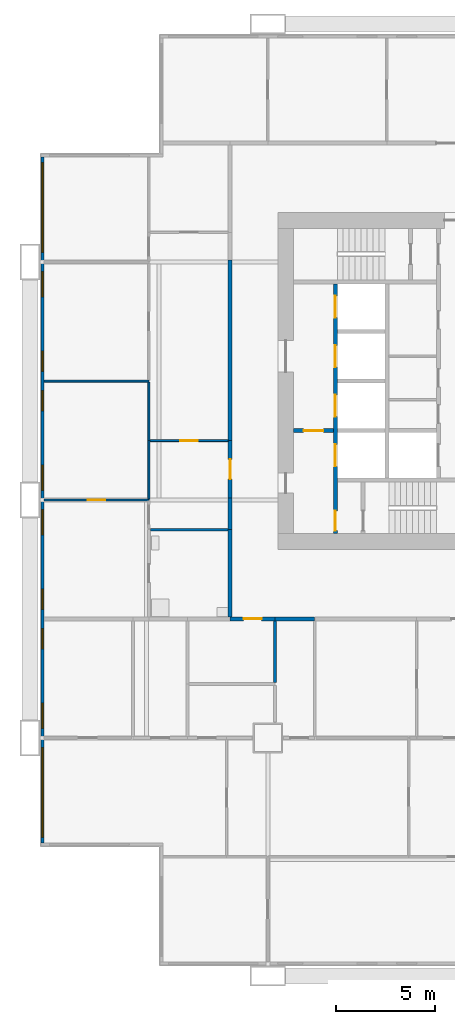
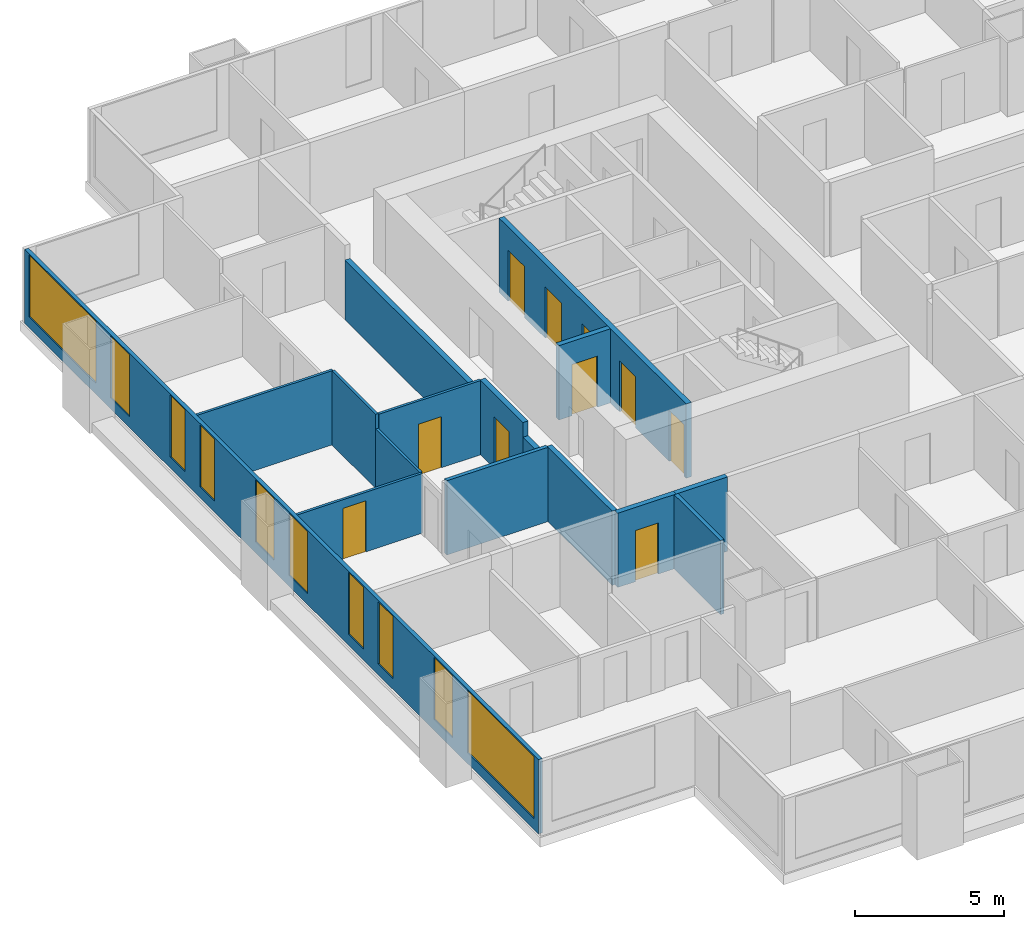
# One storey, part 3 of 14: 16 walls, 10 doors, 10 windows, 20 openings.
"""IFC4 building model written with IfcOpenShell, lengths in metres."""

from ifc_helpers import new_model, si_unit, direction, frame, frame_2d, origin, place, context, subcontext, project, spatial, rectangle, extrude, material, layer, layer_set, type_object, element, fill, save


model = new_model("IFC4")

# Units and contexts
model_context = context("Model", 3, precision=1e-05, world=origin(), true_north=direction((0.0, 1.0)))
body_context = subcontext(model_context, "Body", "Model", "MODEL_VIEW")
ifc_project = project(units=[si_unit("LENGTHUNIT", "METRE"), si_unit("AREAUNIT", "SQUARE_METRE"), si_unit("VOLUMEUNIT", "CUBIC_METRE"), si_unit("PLANEANGLEUNIT", "RADIAN"), si_unit("MASSUNIT", "GRAM", prefix="KILO")], contexts=[model_context])

# Site, building, storey
site_placement = place(None, origin())
site = spatial("IfcSite", under=ifc_project, at=site_placement, CompositionType="ELEMENT")
building_placement = place(site_placement, origin())
building = spatial("IfcBuilding", under=site, at=building_placement, Name="Kitamizu Gate Tower and Museum", CompositionType="ELEMENT")
storey_placement = place(building_placement, frame((0.0, 0.0, 54.14990234375)))
storey = spatial("IfcBuildingStorey", under=building, at=storey_placement, Name="L12", CompositionType="ELEMENT", Elevation=54.14990234375)

# Wall, opening, door
ifc_material_1 = material(Name="Gypsum board on galvanised stud")
ifc_layer_1 = layer(ifc_material_1, 0.10009765625)
ifc_layer_set_1 = layer_set([ifc_layer_1], Name="Gypsum board on galvanised stud")
wall_type_1 = type_object("IfcWallType", Name="Partition 100 NOT RATED", PredefinedType="PARTITIONING", material=ifc_layer_set_1)
wall_1_placement = place(storey_placement, frame((6.0, 24.0, 0.0), z_axis=(0.0, 0.0, 1.0), x_axis=(-1.0, 0.0, 0.0)))
wall_1 = element("IfcWall", 1, at=wall_1_placement, inside=storey, type_object=wall_type_1, Name="Partition L12-156", PredefinedType="PARTITIONING", context=body_context, shape_type="SweptSolid", body=[
    extrude(rectangle(XDim=5.280029296875, YDim=0.10009765625, at=frame_2d((2.64013671875, 0.0))), origin(), (0.0, 0.0, 1.0), 2.4501953125),
])
opening_1_placement = place(wall_1_placement, frame((2.18994140625, 0.0, 0.0)))
opening_1 = element("IfcOpeningElement", 2, at=opening_1_placement, cuts=wall_1, Name="Opening L12-061", PredefinedType="OPENING", context=body_context, shape_type="SweptSolid", body=[
    extrude(rectangle(XDim=0.89990234375, YDim=2.10009765625, at=frame_2d((0.449951171875, 1.050048828125))), frame((0.0, 0.06005859375, 0.0), z_axis=(0.0, -1.0, 0.0), x_axis=(1.0, 0.0, 0.0)), (0.0, 0.0, 1.0), 0.1201171875),
])
ifc_material_2 = material(Name="Timber door set", Category="wood")
door_type_1 = type_object("IfcDoorType", Name="Room door 900", OperationType="NOTDEFINED", PredefinedType="DOOR", material=ifc_material_2)
door_1_placement = place(opening_1_placement, origin())
door_1 = element("IfcDoor", 3, at=door_1_placement, inside=storey, type_object=door_type_1, Name="Door L12-061", OperationType="SINGLE_SWING_LEFT", OverallHeight=2.10009765625, OverallWidth=0.89990234375, PredefinedType="DOOR", context=body_context, shape_type="SweptSolid", body=[
    extrude(rectangle(XDim=0.89990234375, YDim=2.10009765625, at=frame_2d((0.449951171875, 1.050048828125))), frame((0.0, 0.02490234375, 0.0), z_axis=(0.0, -1.0, 0.0), x_axis=(1.0, 0.0, 0.0)), (0.0, 0.0, 1.0), 0.050048828125),
])
fill(opening_1, door_1)

# Walls
wall_2_placement = place(storey_placement, frame((6.0, 30.0, 0.0), z_axis=(0.0, 0.0, 1.0), x_axis=(-1.0, 0.0, 0.0)))
element("IfcWall", 4, at=wall_2_placement, inside=storey, type_object=wall_type_1, Name="Partition L12-159", PredefinedType="PARTITIONING", context=body_context, shape_type="SweptSolid", body=[
    extrude(rectangle(XDim=5.280029296875, YDim=0.10009765625, at=frame_2d((2.64013671875, 0.0))), origin(), (0.0, 0.0, 1.0), 3.050048828125),
])
wall_3_placement = place(storey_placement, frame((6.0, 24.050048828125, 0.0), z_axis=(0.0, 0.0, 1.0), x_axis=(0.0, 1.0, 0.0)))
element("IfcWall", 5, at=wall_3_placement, inside=storey, type_object=wall_type_1, Name="Partition L12-160", PredefinedType="PARTITIONING", context=body_context, shape_type="SweptSolid", body=[
    extrude(rectangle(XDim=2.949951171875, YDim=0.10009765625, at=frame_2d((1.47509765625, 0.0))), origin(), (0.0, 0.0, 1.0), 2.4501953125),
])
wall_4_placement = place(storey_placement, frame((6.0, 27.0, 0.0), z_axis=(0.0, 0.0, 1.0), x_axis=(0.0, 1.0, 0.0)))
element("IfcWall", 6, at=wall_4_placement, inside=storey, type_object=wall_type_1, Name="Partition L12-161", PredefinedType="PARTITIONING", context=body_context, shape_type="SweptSolid", body=[
    extrude(rectangle(XDim=2.949951171875, YDim=0.10009765625, at=frame_2d((1.47509765625, 0.0))), origin(), (0.0, 0.0, 1.0), 3.050048828125),
])

# Wall, opening, door
wall_5_placement = place(storey_placement, frame((10.0, 27.0, 0.0), z_axis=(0.0, 0.0, 1.0), x_axis=(-1.0, 0.0, 0.0)))
wall_5 = element("IfcWall", 7, at=wall_5_placement, inside=storey, type_object=wall_type_1, Name="Partition L12-168", PredefinedType="PARTITIONING", context=body_context, shape_type="SweptSolid", body=[
    extrude(rectangle(XDim=3.949951171875, YDim=0.10009765625, at=frame_2d((1.97509765625, 0.0))), origin(), (0.0, 0.0, 1.0), 3.050048828125),
])
opening_2_placement = place(wall_5_placement, frame((1.52490234375, 0.0, 0.0)))
opening_2 = element("IfcOpeningElement", 8, at=opening_2_placement, cuts=wall_5, Name="Opening L12-057", PredefinedType="OPENING", context=body_context, shape_type="SweptSolid", body=[
    extrude(rectangle(XDim=0.89990234375, YDim=2.10009765625, at=frame_2d((0.449951171875, 1.050048828125))), frame((0.0, 0.06005859375, 0.0), z_axis=(0.0, -1.0, 0.0), x_axis=(1.0, 0.0, 0.0)), (0.0, 0.0, 1.0), 0.1201171875),
])
door_2_placement = place(opening_2_placement, origin())
door_2 = element("IfcDoor", 9, at=door_2_placement, inside=storey, type_object=door_type_1, Name="Door L12-057", OperationType="SINGLE_SWING_RIGHT", OverallHeight=2.10009765625, OverallWidth=0.89990234375, PredefinedType="DOOR", context=body_context, shape_type="SweptSolid", body=[
    extrude(rectangle(XDim=0.89990234375, YDim=2.10009765625, at=frame_2d((0.449951171875, 1.050048828125))), frame((0.0, 0.02490234375, 0.0), z_axis=(0.0, -1.0, 0.0), x_axis=(1.0, 0.0, 0.0)), (0.0, 0.0, 1.0), 0.050048828125),
])
fill(opening_2, door_2)

# Walls
ifc_material_3 = material(Name="Gypsum board on galvanised stud")
ifc_layer_2 = layer(ifc_material_3, 0.14990234375)
ifc_layer_set_2 = layer_set([ifc_layer_2], Name="Gypsum board on galvanised stud")
wall_type_2 = type_object("IfcWallType", Name="Partition 150", PredefinedType="PARTITIONING", material=ifc_layer_set_2)
wall_6_placement = place(storey_placement, frame((12.364013671875, 14.787109375, 0.0), z_axis=(0.0, 0.0, 1.0), x_axis=(0.0, 1.0, 0.0)))
element("IfcWall", 10, at=wall_6_placement, inside=storey, type_object=wall_type_2, Name="Partition L12-044", PredefinedType="PARTITIONING", context=body_context, shape_type="SweptSolid", body=[
    extrude(rectangle(XDim=3.11279296875, YDim=0.14990234375, at=frame_2d((1.556396484375, 0.0))), origin(), (0.0, 0.0, 1.0), 3.050048828125),
])
wall_7_placement = place(storey_placement, frame((10.0, 22.5, 0.0), z_axis=(0.0, 0.0, 1.0), x_axis=(-1.0, 0.0, 0.0)))
element("IfcWall", 11, at=wall_7_placement, inside=storey, type_object=wall_type_2, Name="Partition L12-166", PredefinedType="PARTITIONING", context=body_context, shape_type="SweptSolid", body=[
    extrude(rectangle(XDim=3.925048828125, YDim=0.14990234375, at=frame_2d((1.96240234375, 0.0))), origin(), (0.0, 0.0, 1.0), 3.050048828125),
])

# Wall, opening, door
ifc_material_4 = material(Name="Gypsum board on galvanised stud")
ifc_layer_3 = layer(ifc_material_4, 0.199951171875)
ifc_layer_set_3 = layer_set([ifc_layer_3], Name="Gypsum board on galvanised stud")
wall_type_3 = type_object("IfcWallType", Name="Partition 200", PredefinedType="PARTITIONING", material=ifc_layer_set_3)
wall_8_placement = place(storey_placement, frame((12.364013671875, 18.0, 0.0), z_axis=(0.0, 0.0, 1.0), x_axis=(-1.0, 0.0, 0.0)))
wall_8 = element("IfcWall", 12, at=wall_8_placement, inside=storey, type_object=wall_type_3, Name="Partition L12-046", PredefinedType="PARTITIONING", context=body_context, shape_type="SweptSolid", body=[
    extrude(rectangle(XDim=2.263916015625, YDim=0.199951171875, at=frame_2d((1.1318359375, 0.0))), origin(), (0.0, 0.0, 1.0), 3.050048828125),
])
opening_3_placement = place(wall_8_placement, frame((0.681884765625, 0.0, 0.0)))
opening_3 = element("IfcOpeningElement", 13, at=opening_3_placement, cuts=wall_8, Name="Opening L12-020", PredefinedType="OPENING", context=body_context, shape_type="SweptSolid", body=[
    extrude(rectangle(XDim=0.89990234375, YDim=2.10009765625, at=frame_2d((0.449951171875, 1.050048828125))), frame((0.0, 0.10986328125, 0.0), z_axis=(0.0, -1.0, 0.0), x_axis=(1.0, 0.0, 0.0)), (0.0, 0.0, 1.0), 0.219970703125),
])
ifc_material_5 = material(Name="Timber door set", Category="wood")
door_type_2 = type_object("IfcDoorType", Name="Store door 900", OperationType="NOTDEFINED", PredefinedType="DOOR", material=ifc_material_5)
door_3_placement = place(opening_3_placement, origin())
door_3 = element("IfcDoor", 14, at=door_3_placement, inside=storey, type_object=door_type_2, Name="Service entrance door L12-020", OperationType="SINGLE_SWING_RIGHT", OverallHeight=2.10009765625, OverallWidth=0.89990234375, PredefinedType="DOOR", context=body_context, shape_type="SweptSolid", body=[
    extrude(rectangle(XDim=0.89990234375, YDim=2.10009765625, at=frame_2d((0.449951171875, 1.050048828125))), frame((0.0, 0.02490234375, 0.0), z_axis=(0.0, -1.0, 0.0), x_axis=(1.0, 0.0, 0.0)), (0.0, 0.0, 1.0), 0.050048828125),
])
fill(opening_3, door_3)

# Walls
wall_9_placement = place(storey_placement, frame((14.364013671875, 18.0, 0.0), z_axis=(0.0, 0.0, 1.0), x_axis=(-1.0, 0.0, 0.0)))
element("IfcWall", 15, at=wall_9_placement, inside=storey, type_object=wall_type_3, Name="Partition L12-048", PredefinedType="PARTITIONING", context=body_context, shape_type="SweptSolid", body=[
    extrude(rectangle(XDim=2.0, YDim=0.199951171875, at=frame_2d((1.0, 0.0))), origin(), (0.0, 0.0, 1.0), 3.050048828125),
])
wall_10_placement = place(storey_placement, frame((10.10009765625, 18.10009765625, 0.0), z_axis=(0.0, 0.0, 1.0), x_axis=(0.0, 1.0, 0.0)))
element("IfcWall", 16, at=wall_10_placement, inside=storey, type_object=wall_type_3, Name="Partition L12-167", PredefinedType="PARTITIONING", context=body_context, shape_type="SweptSolid", body=[
    extrude(rectangle(XDim=4.39990234375, YDim=0.199951171875, at=frame_2d((2.199951171875, 0.0))), origin(), (0.0, 0.0, 1.0), 3.050048828125),
])
wall_11_placement = place(storey_placement, frame((10.10009765625, 22.5, 0.0), z_axis=(0.0, 0.0, 1.0), x_axis=(0.0, 1.0, 0.0)))
element("IfcWall", 17, at=wall_11_placement, inside=storey, type_object=wall_type_3, Name="Partition L12-169", PredefinedType="PARTITIONING", context=body_context, shape_type="SweptSolid", body=[
    extrude(rectangle(XDim=1.60009765625, YDim=0.199951171875, at=frame_2d((0.800048828125, 0.0))), origin(), (0.0, 0.0, 1.0), 2.4501953125),
])

# Wall, opening, door
wall_12_placement = place(storey_placement, frame((10.10009765625, 24.10009765625, 0.0), z_axis=(0.0, 0.0, 1.0), x_axis=(0.0, 1.0, 0.0)))
wall_12 = element("IfcWall", 18, at=wall_12_placement, inside=storey, type_object=wall_type_3, Name="Partition L12-170", PredefinedType="PARTITIONING", context=body_context, shape_type="SweptSolid", body=[
    extrude(rectangle(XDim=2.89990234375, YDim=0.199951171875, at=frame_2d((1.449951171875, 0.0))), origin(), (0.0, 0.0, 1.0), 3.050048828125),
])
opening_4_placement = place(wall_12_placement, frame((0.949951171875, 0.0, 0.0)))
opening_4 = element("IfcOpeningElement", 19, at=opening_4_placement, cuts=wall_12, Name="Opening L12-055", PredefinedType="OPENING", context=body_context, shape_type="SweptSolid", body=[
    extrude(rectangle(XDim=1.0, YDim=2.10009765625, at=frame_2d((0.5, 1.050048828125))), frame((0.0, 0.10986328125, 0.0), z_axis=(0.0, -1.0, 0.0), x_axis=(1.0, 0.0, 0.0)), (0.0, 0.0, 1.0), 0.219970703125),
])
ifc_material_6 = material(Name="Timber door set", Category="wood")
door_type_3 = type_object("IfcDoorType", Name="Flat entrance door 1000", OperationType="NOTDEFINED", PredefinedType="DOOR", material=ifc_material_6)
door_4_placement = place(opening_4_placement, origin())
door_4 = element("IfcDoor", 20, at=door_4_placement, inside=storey, type_object=door_type_3, Name="Flat entrance door L12-055", OperationType="SINGLE_SWING_LEFT", OverallHeight=2.10009765625, OverallWidth=1.0, PredefinedType="DOOR", context=body_context, shape_type="SweptSolid", body=[
    extrude(rectangle(XDim=1.0, YDim=2.10009765625, at=frame_2d((0.5, 1.050048828125))), frame((0.0, 0.02490234375, 0.0), z_axis=(0.0, -1.0, 0.0), x_axis=(1.0, 0.0, 0.0)), (0.0, 0.0, 1.0), 0.050048828125),
])
fill(opening_4, door_4)

# Wall
wall_13_placement = place(storey_placement, frame((10.10009765625, 27.0, 0.0), z_axis=(0.0, 0.0, 1.0), x_axis=(0.0, 1.0, 0.0)))
element("IfcWall", 21, at=wall_13_placement, inside=storey, type_object=wall_type_3, Name="Partition L12-172", PredefinedType="PARTITIONING", context=body_context, shape_type="SweptSolid", body=[
    extrude(rectangle(XDim=9.10009765625, YDim=0.199951171875, at=frame_2d((4.550048828125, 0.0))), origin(), (0.0, 0.0, 1.0), 2.4501953125),
])

# Wall, openings, doors
ifc_material_7 = material(Name="Concrete Fc42", Category="concrete")
ifc_layer_4 = layer(ifc_material_7, 0.199951171875)
ifc_layer_set_4 = layer_set([ifc_layer_4], Name="Concrete Fc42")
wall_type_4 = type_object("IfcWallType", Name="Shaft wall 200", PredefinedType="SOLIDWALL", material=ifc_layer_set_4)
wall_14_placement = place(storey_placement, frame((15.39990234375, 22.300048828125, 0.0), z_axis=(0.0, 0.0, 1.0), x_axis=(0.0, 1.0, 0.0)))
wall_14 = element("IfcWall", 22, at=wall_14_placement, inside=storey, type_object=wall_type_4, Name="Shaft wall WWEST", PredefinedType="SOLIDWALL", context=body_context, shape_type="SweptSolid", body=[
    extrude(rectangle(XDim=12.599853515625, YDim=0.199951171875, at=frame_2d((6.2998046875, 0.0))), origin(), (0.0, 0.0, 1.0), 3.050048828125),
])
opening_5_placement = place(wall_14_placement, frame((3.39990234375, 0.0, 0.0)))
opening_5 = element("IfcOpeningElement", 23, at=opening_5_placement, cuts=wall_14, Name="Opening LD", PredefinedType="OPENING", context=body_context, shape_type="SweptSolid", body=[
    extrude(rectangle(XDim=1.10009765625, YDim=2.10009765625, at=frame_2d((0.550048828125, 1.050048828125))), frame((0.0, 0.10986328125, 0.0), z_axis=(0.0, -1.0, 0.0), x_axis=(1.0, 0.0, 0.0)), (0.0, 0.0, 1.0), 0.219970703125),
])
opening_6_placement = place(wall_14_placement, frame((5.89990234375, 0.0, 0.0)))
opening_6 = element("IfcOpeningElement", 24, at=opening_6_placement, cuts=wall_14, Name="Opening LD", PredefinedType="OPENING", context=body_context, shape_type="SweptSolid", body=[
    extrude(rectangle(XDim=1.10009765625, YDim=2.10009765625, at=frame_2d((0.550048828125, 1.050048828125))), frame((0.0, 0.10986328125, 0.0), z_axis=(0.0, -1.0, 0.0), x_axis=(1.0, 0.0, 0.0)), (0.0, 0.0, 1.0), 0.219970703125),
])
opening_7_placement = place(wall_14_placement, frame((8.39990234375, 0.0, 0.0)))
opening_7 = element("IfcOpeningElement", 25, at=opening_7_placement, cuts=wall_14, Name="Opening LD", PredefinedType="OPENING", context=body_context, shape_type="SweptSolid", body=[
    extrude(rectangle(XDim=1.10009765625, YDim=2.10009765625, at=frame_2d((0.550048828125, 1.050048828125))), frame((0.0, 0.10986328125, 0.0), z_axis=(0.0, -1.0, 0.0), x_axis=(1.0, 0.0, 0.0)), (0.0, 0.0, 1.0), 0.219970703125),
])
opening_8_placement = place(wall_14_placement, frame((10.89990234375, 0.0, 0.0)))
opening_8 = element("IfcOpeningElement", 26, at=opening_8_placement, cuts=wall_14, Name="Opening LD", PredefinedType="OPENING", context=body_context, shape_type="SweptSolid", body=[
    extrude(rectangle(XDim=1.10009765625, YDim=2.10009765625, at=frame_2d((0.550048828125, 1.050048828125))), frame((0.0, 0.10986328125, 0.0), z_axis=(0.0, -1.0, 0.0), x_axis=(1.0, 0.0, 0.0)), (0.0, 0.0, 1.0), 0.219970703125),
])
opening_9_placement = place(wall_14_placement, frame((0.14990234375, 0.0, 0.0)))
opening_9 = element("IfcOpeningElement", 27, at=opening_9_placement, cuts=wall_14, Name="Opening L12-077", PredefinedType="OPENING", context=body_context, shape_type="SweptSolid", body=[
    extrude(rectangle(XDim=1.0, YDim=2.10009765625, at=frame_2d((0.5, 1.050048828125))), frame((0.0, 0.10986328125, 0.0), z_axis=(0.0, -1.0, 0.0), x_axis=(1.0, 0.0, 0.0)), (0.0, 0.0, 1.0), 0.219970703125),
])
ifc_material_8 = material(Name="Hollow metal door set")
door_type_4 = type_object("IfcDoorType", Name="Fire door 1000", OperationType="NOTDEFINED", PredefinedType="DOOR", material=ifc_material_8)
door_5_placement = place(opening_9_placement, frame((1.0, 0.0, 0.0), x_axis=(-1.0, 0.0, 0.0)))
door_5 = element("IfcDoor", 28, at=door_5_placement, inside=storey, type_object=door_type_4, Name="Stair lobby door L12-077", OperationType="SINGLE_SWING_LEFT", OverallHeight=2.10009765625, OverallWidth=1.0, PredefinedType="DOOR", context=body_context, shape_type="SweptSolid", body=[
    extrude(rectangle(XDim=1.0, YDim=2.10009765625, at=frame_2d((0.5, 1.050048828125))), frame((0.0, 0.02490234375, 0.0), z_axis=(0.0, -1.0, 0.0), x_axis=(1.0, 0.0, 0.0)), (0.0, 0.0, 1.0), 0.050048828125),
])
fill(opening_9, door_5)
ifc_material_9 = material(Name="Hollow metal door set")
door_type_5 = type_object("IfcDoorType", Name="Landing door 1100", OperationType="SLIDING_TO_LEFT", PredefinedType="DOOR", material=ifc_material_9)
door_6_placement = place(opening_5_placement, origin())
door_6 = element("IfcDoor", 29, at=door_6_placement, inside=storey, type_object=door_type_5, Name="Landing door WFF1", OperationType="SLIDING_TO_LEFT", OverallHeight=2.10009765625, OverallWidth=1.10009765625, PredefinedType="DOOR", context=body_context, shape_type="SweptSolid", body=[
    extrude(rectangle(XDim=1.10009765625, YDim=2.10009765625, at=frame_2d((0.550048828125, 1.050048828125))), frame((0.0, 0.02490234375, 0.0), z_axis=(0.0, -1.0, 0.0), x_axis=(1.0, 0.0, 0.0)), (0.0, 0.0, 1.0), 0.050048828125),
])
fill(opening_5, door_6)
door_7_placement = place(opening_6_placement, origin())
door_7 = element("IfcDoor", 30, at=door_7_placement, inside=storey, type_object=door_type_5, Name="Landing door WL1", OperationType="SLIDING_TO_LEFT", OverallHeight=2.10009765625, OverallWidth=1.10009765625, PredefinedType="DOOR", context=body_context, shape_type="SweptSolid", body=[
    extrude(rectangle(XDim=1.10009765625, YDim=2.10009765625, at=frame_2d((0.550048828125, 1.050048828125))), frame((0.0, 0.02490234375, 0.0), z_axis=(0.0, -1.0, 0.0), x_axis=(1.0, 0.0, 0.0)), (0.0, 0.0, 1.0), 0.050048828125),
])
fill(opening_6, door_7)
door_8_placement = place(opening_7_placement, origin())
door_8 = element("IfcDoor", 31, at=door_8_placement, inside=storey, type_object=door_type_5, Name="Landing door WL2", OperationType="SLIDING_TO_LEFT", OverallHeight=2.10009765625, OverallWidth=1.10009765625, PredefinedType="DOOR", context=body_context, shape_type="SweptSolid", body=[
    extrude(rectangle(XDim=1.10009765625, YDim=2.10009765625, at=frame_2d((0.550048828125, 1.050048828125))), frame((0.0, 0.02490234375, 0.0), z_axis=(0.0, -1.0, 0.0), x_axis=(1.0, 0.0, 0.0)), (0.0, 0.0, 1.0), 0.050048828125),
])
fill(opening_7, door_8)
door_9_placement = place(opening_8_placement, origin())
door_9 = element("IfcDoor", 32, at=door_9_placement, inside=storey, type_object=door_type_5, Name="Landing door WL3", OperationType="SLIDING_TO_LEFT", OverallHeight=2.10009765625, OverallWidth=1.10009765625, PredefinedType="DOOR", context=body_context, shape_type="SweptSolid", body=[
    extrude(rectangle(XDim=1.10009765625, YDim=2.10009765625, at=frame_2d((0.550048828125, 1.050048828125))), frame((0.0, 0.02490234375, 0.0), z_axis=(0.0, -1.0, 0.0), x_axis=(1.0, 0.0, 0.0)), (0.0, 0.0, 1.0), 0.050048828125),
])
fill(opening_8, door_9)

# Wall, opening, door
wall_15_placement = place(storey_placement, frame((13.300048828125, 27.5, 0.0), z_axis=(0.0, 0.0, 1.0), x_axis=(1.0, 0.0, 0.0)))
wall_15 = element("IfcWall", 33, at=wall_15_placement, inside=storey, type_object=wall_type_4, Name="Shaft wall WFFN", PredefinedType="SOLIDWALL", context=body_context, shape_type="SweptSolid", body=[
    extrude(rectangle(XDim=2.0, YDim=0.199951171875, at=frame_2d((1.0, 0.0))), origin(), (0.0, 0.0, 1.0), 3.050048828125),
])
opening_10_placement = place(wall_15_placement, frame((0.5, 0.0, 0.0)))
opening_10 = element("IfcOpeningElement", 34, at=opening_10_placement, cuts=wall_15, Name="Opening L12-080", PredefinedType="OPENING", context=body_context, shape_type="SweptSolid", body=[
    extrude(rectangle(XDim=1.0, YDim=2.10009765625, at=frame_2d((0.5, 1.050048828125))), frame((0.0, 0.10986328125, 0.0), z_axis=(0.0, -1.0, 0.0), x_axis=(1.0, 0.0, 0.0)), (0.0, 0.0, 1.0), 0.219970703125),
])
door_10_placement = place(opening_10_placement, frame((1.0, 0.0, 0.0), x_axis=(-1.0, 0.0, 0.0)))
door_10 = element("IfcDoor", 35, at=door_10_placement, inside=storey, type_object=door_type_4, Name="Fire-fighting lobby door L12-080", OperationType="SINGLE_SWING_LEFT", OverallHeight=2.10009765625, OverallWidth=1.0, PredefinedType="DOOR", context=body_context, shape_type="SweptSolid", body=[
    extrude(rectangle(XDim=1.0, YDim=2.10009765625, at=frame_2d((0.5, 1.050048828125))), frame((0.0, 0.02490234375, 0.0), z_axis=(0.0, -1.0, 0.0), x_axis=(1.0, 0.0, 0.0)), (0.0, 0.0, 1.0), 0.050048828125),
])
fill(opening_10, door_10)

# Wall, openings, windows
ifc_material_10 = material(Name="Bronze anodised aluminium frame with insulated spandrel and tinted glass", Category="aluminium")
ifc_layer_5 = layer(ifc_material_10, 0.14990234375)
ifc_layer_set_5 = layer_set([ifc_layer_5], Name="Bronze anodised aluminium frame with insulated spandrel and tinted glass")
wall_type_5 = type_object("IfcWallType", Name="WINDOW WALL 150 BRONZE FRAME EI 30", PredefinedType="ELEMENTEDWALL", material=ifc_layer_set_5)
wall_16_placement = place(storey_placement, frame((0.635009765625, 6.7099609375, 0.0), z_axis=(0.0, 0.0, 1.0), x_axis=(0.0, 1.0, 0.0)))
wall_16 = element("IfcWall", 36, at=wall_16_placement, inside=storey, type_object=wall_type_5, Name="Window wall west L12", PredefinedType="ELEMENTEDWALL", context=body_context, shape_type="SweptSolid", body=[
    extrude(rectangle(XDim=34.580078125, YDim=0.14990234375, at=frame_2d((17.2900390625, 0.0))), origin(), (0.0, 0.0, 1.0), 3.050048828125),
])
opening_11_placement = place(wall_16_placement, frame((0.2900390625, 0.0, 0.449951171875)))
opening_11 = element("IfcOpeningElement", 37, at=opening_11_placement, cuts=wall_16, Name="Opening W15", PredefinedType="OPENING", context=body_context, shape_type="SweptSolid", body=[
    extrude(rectangle(XDim=4.5, YDim=2.550048828125, at=frame_2d((2.25, 1.27490234375))), frame((0.0, 0.0849609375, 0.0), z_axis=(0.0, -1.0, 0.0), x_axis=(1.0, 0.0, 0.0)), (0.0, 0.0, 1.0), 0.169921875),
])
opening_12_placement = place(wall_16_placement, frame((5.7900390625, 0.0, 0.449951171875)))
opening_12 = element("IfcOpeningElement", 38, at=opening_12_placement, cuts=wall_16, Name="Opening W27", PredefinedType="OPENING", context=body_context, shape_type="SweptSolid", body=[
    extrude(rectangle(XDim=1.25, YDim=2.550048828125, at=frame_2d((0.625, 1.27490234375))), frame((0.0, 0.0849609375, 0.0), z_axis=(0.0, -1.0, 0.0), x_axis=(1.0, 0.0, 0.0)), (0.0, 0.0, 1.0), 0.169921875),
])
opening_13_placement = place(wall_16_placement, frame((9.7900390625, 0.0, 0.449951171875)))
opening_13 = element("IfcOpeningElement", 39, at=opening_13_placement, cuts=wall_16, Name="Opening W26", PredefinedType="OPENING", context=body_context, shape_type="SweptSolid", body=[
    extrude(rectangle(XDim=1.0, YDim=2.550048828125, at=frame_2d((0.5, 1.27490234375))), frame((0.0, 0.0849609375, 0.0), z_axis=(0.0, -1.0, 0.0), x_axis=(1.0, 0.0, 0.0)), (0.0, 0.0, 1.0), 0.169921875),
])
opening_14_placement = place(wall_16_placement, frame((11.7900390625, 0.0, 0.449951171875)))
opening_14 = element("IfcOpeningElement", 40, at=opening_14_placement, cuts=wall_16, Name="Opening W26", PredefinedType="OPENING", context=body_context, shape_type="SweptSolid", body=[
    extrude(rectangle(XDim=1.0, YDim=2.550048828125, at=frame_2d((0.5, 1.27490234375))), frame((0.0, 0.0849609375, 0.0), z_axis=(0.0, -1.0, 0.0), x_axis=(1.0, 0.0, 0.0)), (0.0, 0.0, 1.0), 0.169921875),
])
opening_15_placement = place(wall_16_placement, frame((15.5400390625, 0.0, 0.449951171875)))
opening_15 = element("IfcOpeningElement", 41, at=opening_15_placement, cuts=wall_16, Name="Opening W27", PredefinedType="OPENING", context=body_context, shape_type="SweptSolid", body=[
    extrude(rectangle(XDim=1.25, YDim=2.550048828125, at=frame_2d((0.625, 1.27490234375))), frame((0.0, 0.0849609375, 0.0), z_axis=(0.0, -1.0, 0.0), x_axis=(1.0, 0.0, 0.0)), (0.0, 0.0, 1.0), 0.169921875),
])
opening_16_placement = place(wall_16_placement, frame((17.7900390625, 0.0, 0.449951171875)))
opening_16 = element("IfcOpeningElement", 42, at=opening_16_placement, cuts=wall_16, Name="Opening W27", PredefinedType="OPENING", context=body_context, shape_type="SweptSolid", body=[
    extrude(rectangle(XDim=1.25, YDim=2.550048828125, at=frame_2d((0.625, 1.27490234375))), frame((0.0, 0.0849609375, 0.0), z_axis=(0.0, -1.0, 0.0), x_axis=(1.0, 0.0, 0.0)), (0.0, 0.0, 1.0), 0.169921875),
])
opening_17_placement = place(wall_16_placement, frame((21.7900390625, 0.0, 0.449951171875)))
opening_17 = element("IfcOpeningElement", 43, at=opening_17_placement, cuts=wall_16, Name="Opening W26", PredefinedType="OPENING", context=body_context, shape_type="SweptSolid", body=[
    extrude(rectangle(XDim=1.0, YDim=2.550048828125, at=frame_2d((0.5, 1.27490234375))), frame((0.0, 0.0849609375, 0.0), z_axis=(0.0, -1.0, 0.0), x_axis=(1.0, 0.0, 0.0)), (0.0, 0.0, 1.0), 0.169921875),
])
opening_18_placement = place(wall_16_placement, frame((23.7900390625, 0.0, 0.449951171875)))
opening_18 = element("IfcOpeningElement", 44, at=opening_18_placement, cuts=wall_16, Name="Opening W26", PredefinedType="OPENING", context=body_context, shape_type="SweptSolid", body=[
    extrude(rectangle(XDim=1.0, YDim=2.550048828125, at=frame_2d((0.5, 1.27490234375))), frame((0.0, 0.0849609375, 0.0), z_axis=(0.0, -1.0, 0.0), x_axis=(1.0, 0.0, 0.0)), (0.0, 0.0, 1.0), 0.169921875),
])
opening_19_placement = place(wall_16_placement, frame((27.5400390625, 0.0, 0.449951171875)))
opening_19 = element("IfcOpeningElement", 45, at=opening_19_placement, cuts=wall_16, Name="Opening W27", PredefinedType="OPENING", context=body_context, shape_type="SweptSolid", body=[
    extrude(rectangle(XDim=1.25, YDim=2.550048828125, at=frame_2d((0.625, 1.27490234375))), frame((0.0, 0.0849609375, 0.0), z_axis=(0.0, -1.0, 0.0), x_axis=(1.0, 0.0, 0.0)), (0.0, 0.0, 1.0), 0.169921875),
])
opening_20_placement = place(wall_16_placement, frame((29.7900390625, 0.0, 0.449951171875)))
opening_20 = element("IfcOpeningElement", 46, at=opening_20_placement, cuts=wall_16, Name="Opening W15", PredefinedType="OPENING", context=body_context, shape_type="SweptSolid", body=[
    extrude(rectangle(XDim=4.5, YDim=2.550048828125, at=frame_2d((2.25, 1.27490234375))), frame((0.0, 0.0849609375, 0.0), z_axis=(0.0, -1.0, 0.0), x_axis=(1.0, 0.0, 0.0)), (0.0, 0.0, 1.0), 0.169921875),
])
ifc_material_11 = material(Name="Bronze anodised aluminium frame, tinted triple glazing", Category="aluminium")
window_type_1 = type_object("IfcWindowType", Name="WINDOW 1000 x 2550 SILL 450", PartitioningType="SINGLE_PANEL", PredefinedType="WINDOW", material=ifc_material_11)
window_1_placement = place(opening_13_placement, origin())
window_1 = element("IfcWindow", 47, at=window_1_placement, inside=storey, type_object=window_type_1, Name="Window W26 L12", OverallHeight=2.550048828125, OverallWidth=1.0, PartitioningType="SINGLE_PANEL", PredefinedType="WINDOW", context=body_context, shape_type="SweptSolid", body=[
    extrude(rectangle(XDim=1.0, YDim=2.550048828125, at=frame_2d((0.5, 1.27490234375))), frame((0.0, 0.030029296875, 0.0), z_axis=(0.0, -1.0, 0.0), x_axis=(1.0, 0.0, 0.0)), (0.0, 0.0, 1.0), 0.06005859375),
])
fill(opening_13, window_1)
window_2_placement = place(opening_14_placement, origin())
window_2 = element("IfcWindow", 48, at=window_2_placement, inside=storey, type_object=window_type_1, Name="Window W26 L12", OverallHeight=2.550048828125, OverallWidth=1.0, PartitioningType="SINGLE_PANEL", PredefinedType="WINDOW", context=body_context, shape_type="SweptSolid", body=[
    extrude(rectangle(XDim=1.0, YDim=2.550048828125, at=frame_2d((0.5, 1.27490234375))), frame((0.0, 0.030029296875, 0.0), z_axis=(0.0, -1.0, 0.0), x_axis=(1.0, 0.0, 0.0)), (0.0, 0.0, 1.0), 0.06005859375),
])
fill(opening_14, window_2)
window_3_placement = place(opening_17_placement, origin())
window_3 = element("IfcWindow", 49, at=window_3_placement, inside=storey, type_object=window_type_1, Name="Window W26 L12", OverallHeight=2.550048828125, OverallWidth=1.0, PartitioningType="SINGLE_PANEL", PredefinedType="WINDOW", context=body_context, shape_type="SweptSolid", body=[
    extrude(rectangle(XDim=1.0, YDim=2.550048828125, at=frame_2d((0.5, 1.27490234375))), frame((0.0, 0.030029296875, 0.0), z_axis=(0.0, -1.0, 0.0), x_axis=(1.0, 0.0, 0.0)), (0.0, 0.0, 1.0), 0.06005859375),
])
fill(opening_17, window_3)
window_4_placement = place(opening_18_placement, origin())
window_4 = element("IfcWindow", 50, at=window_4_placement, inside=storey, type_object=window_type_1, Name="Window W26 L12", OverallHeight=2.550048828125, OverallWidth=1.0, PartitioningType="SINGLE_PANEL", PredefinedType="WINDOW", context=body_context, shape_type="SweptSolid", body=[
    extrude(rectangle(XDim=1.0, YDim=2.550048828125, at=frame_2d((0.5, 1.27490234375))), frame((0.0, 0.030029296875, 0.0), z_axis=(0.0, -1.0, 0.0), x_axis=(1.0, 0.0, 0.0)), (0.0, 0.0, 1.0), 0.06005859375),
])
fill(opening_18, window_4)
ifc_material_12 = material(Name="Bronze anodised aluminium frame, tinted triple glazing", Category="aluminium")
window_type_2 = type_object("IfcWindowType", Name="WINDOW 1250 x 2550 SILL 450", PartitioningType="SINGLE_PANEL", PredefinedType="WINDOW", material=ifc_material_12)
window_5_placement = place(opening_12_placement, origin())
window_5 = element("IfcWindow", 51, at=window_5_placement, inside=storey, type_object=window_type_2, Name="Window W27 L12", OverallHeight=2.550048828125, OverallWidth=1.25, PartitioningType="SINGLE_PANEL", PredefinedType="WINDOW", context=body_context, shape_type="SweptSolid", body=[
    extrude(rectangle(XDim=1.25, YDim=2.550048828125, at=frame_2d((0.625, 1.27490234375))), frame((0.0, 0.030029296875, 0.0), z_axis=(0.0, -1.0, 0.0), x_axis=(1.0, 0.0, 0.0)), (0.0, 0.0, 1.0), 0.06005859375),
])
fill(opening_12, window_5)
window_6_placement = place(opening_15_placement, origin())
window_6 = element("IfcWindow", 52, at=window_6_placement, inside=storey, type_object=window_type_2, Name="Window W27 L12", OverallHeight=2.550048828125, OverallWidth=1.25, PartitioningType="SINGLE_PANEL", PredefinedType="WINDOW", context=body_context, shape_type="SweptSolid", body=[
    extrude(rectangle(XDim=1.25, YDim=2.550048828125, at=frame_2d((0.625, 1.27490234375))), frame((0.0, 0.030029296875, 0.0), z_axis=(0.0, -1.0, 0.0), x_axis=(1.0, 0.0, 0.0)), (0.0, 0.0, 1.0), 0.06005859375),
])
fill(opening_15, window_6)
window_7_placement = place(opening_16_placement, origin())
window_7 = element("IfcWindow", 53, at=window_7_placement, inside=storey, type_object=window_type_2, Name="Window W27 L12", OverallHeight=2.550048828125, OverallWidth=1.25, PartitioningType="SINGLE_PANEL", PredefinedType="WINDOW", context=body_context, shape_type="SweptSolid", body=[
    extrude(rectangle(XDim=1.25, YDim=2.550048828125, at=frame_2d((0.625, 1.27490234375))), frame((0.0, 0.030029296875, 0.0), z_axis=(0.0, -1.0, 0.0), x_axis=(1.0, 0.0, 0.0)), (0.0, 0.0, 1.0), 0.06005859375),
])
fill(opening_16, window_7)
window_8_placement = place(opening_19_placement, origin())
window_8 = element("IfcWindow", 54, at=window_8_placement, inside=storey, type_object=window_type_2, Name="Window W27 L12", OverallHeight=2.550048828125, OverallWidth=1.25, PartitioningType="SINGLE_PANEL", PredefinedType="WINDOW", context=body_context, shape_type="SweptSolid", body=[
    extrude(rectangle(XDim=1.25, YDim=2.550048828125, at=frame_2d((0.625, 1.27490234375))), frame((0.0, 0.030029296875, 0.0), z_axis=(0.0, -1.0, 0.0), x_axis=(1.0, 0.0, 0.0)), (0.0, 0.0, 1.0), 0.06005859375),
])
fill(opening_19, window_8)
ifc_material_13 = material(Name="Bronze anodised aluminium frame, tinted triple glazing", Category="aluminium")
window_type_3 = type_object("IfcWindowType", Name="WINDOW 4500 x 2550 SILL 450", PartitioningType="SINGLE_PANEL", PredefinedType="WINDOW", material=ifc_material_13)
window_9_placement = place(opening_11_placement, origin())
window_9 = element("IfcWindow", 55, at=window_9_placement, inside=storey, type_object=window_type_3, Name="Window W15 L12", OverallHeight=2.550048828125, OverallWidth=4.5, PartitioningType="SINGLE_PANEL", PredefinedType="WINDOW", context=body_context, shape_type="SweptSolid", body=[
    extrude(rectangle(XDim=4.5, YDim=2.550048828125, at=frame_2d((2.25, 1.27490234375))), frame((0.0, 0.030029296875, 0.0), z_axis=(0.0, -1.0, 0.0), x_axis=(1.0, 0.0, 0.0)), (0.0, 0.0, 1.0), 0.06005859375),
])
fill(opening_11, window_9)
window_10_placement = place(opening_20_placement, origin())
window_10 = element("IfcWindow", 56, at=window_10_placement, inside=storey, type_object=window_type_3, Name="Window W15 L12", OverallHeight=2.550048828125, OverallWidth=4.5, PartitioningType="SINGLE_PANEL", PredefinedType="WINDOW", context=body_context, shape_type="SweptSolid", body=[
    extrude(rectangle(XDim=4.5, YDim=2.550048828125, at=frame_2d((2.25, 1.27490234375))), frame((0.0, 0.030029296875, 0.0), z_axis=(0.0, -1.0, 0.0), x_axis=(1.0, 0.0, 0.0)), (0.0, 0.0, 1.0), 0.06005859375),
])
fill(opening_20, window_10)

save(model, "model.ifc")
